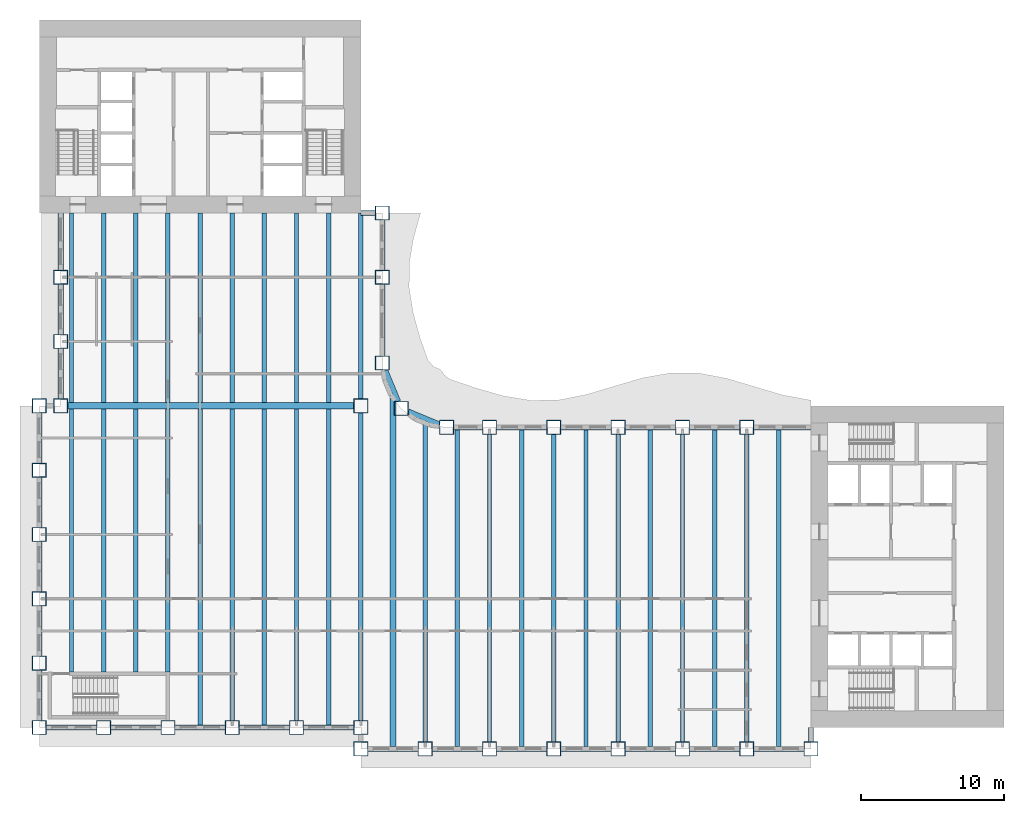
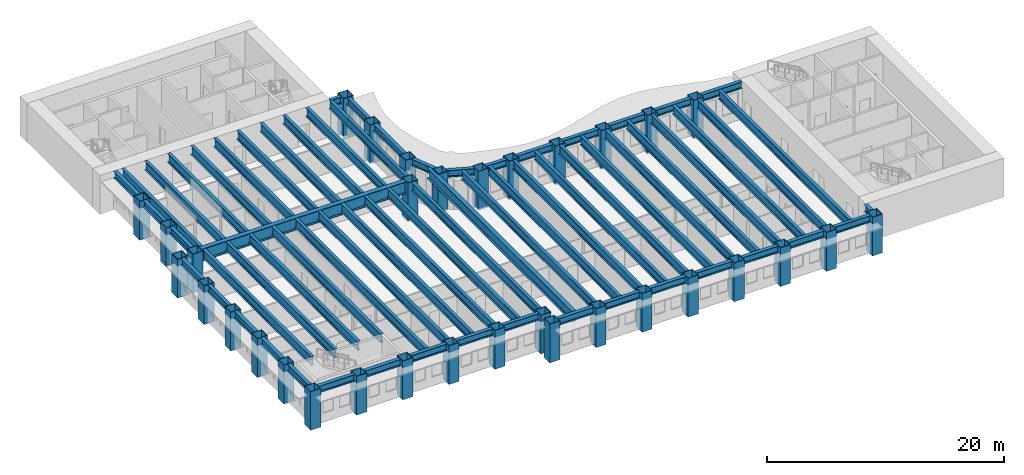
# One storey, part 1 of 16: 66 beams, 33 columns.
"""IFC4 building model written with IfcOpenShell, lengths in metres."""

from ifc_helpers import new_model, si_unit, direction, frame, origin, origin_2d, place, context, subcontext, project, spatial, hollow_rectangle, i_section, extrude, material, material_profile, profile_set, type_object, element, save


model = new_model("IFC4")

# Units and contexts
model_context = context("Model", 3, precision=1e-05, world=origin(), true_north=direction((0.0, 1.0)))
body_context = subcontext(model_context, "Body", "Model", "MODEL_VIEW")
ifc_project = project(units=[si_unit("LENGTHUNIT", "METRE"), si_unit("AREAUNIT", "SQUARE_METRE"), si_unit("VOLUMEUNIT", "CUBIC_METRE"), si_unit("PLANEANGLEUNIT", "RADIAN"), si_unit("MASSUNIT", "GRAM", prefix="KILO")], contexts=[model_context])

# Site, building, storey
site_placement = place(None, origin())
site = spatial("IfcSite", under=ifc_project, at=site_placement, CompositionType="ELEMENT")
building_placement = place(site_placement, origin())
building = spatial("IfcBuilding", under=site, at=building_placement, Name="Sennacour Bend Tower", CompositionType="ELEMENT")
storey_placement = place(building_placement, frame((0.0, 0.0, 107.0)))
storey = spatial("IfcBuildingStorey", under=building, at=storey_placement, Name="L24", CompositionType="ELEMENT", Elevation=107.0)

# Columns
ifc_material_1 = material(Name="Steel ASTM A572 Grade 50", Category="steel")
ifc_material_profile_1 = material_profile(ifc_material_1, hollow_rectangle(XDim=1.0, YDim=1.0, WallThickness=0.050048828125, at=origin_2d()), Name="Steel ASTM A572 Grade 50", Category="steel")
ifc_profile_set_1 = profile_set([ifc_material_profile_1], Name="Steel ASTM A572 Grade 50")
column_type = type_object("IfcColumnType", Name="Box column 1000", PredefinedType="COLUMN", material=ifc_profile_set_1)
for number, where, z_axis, x_axis, name in (
    (1, (0.0, 0.0, -0.14990234375), (0.0, 0.0, 1.0), (1.0, 0.0, 0.0), "Perimeter column C2 L24-001"),
    (2, (0.0, 4.5, -0.14990234375), (0.0, 0.0, 1.0), (1.0, 0.0, 0.0), "Perimeter column C2 L24-002"),
    (3, (0.0, 9.0, -0.14990234375), (0.0, 0.0, 1.0), (1.0, 0.0, 0.0), "Perimeter column C2 L24-003"),
    (4, (0.0, 13.5, -0.14990234375), (0.0, 0.0, 1.0), (1.0, 0.0, 0.0), "Perimeter column C2 L24-004"),
    (5, (0.0, 18.0, -0.14990234375), (0.0, 0.0, 1.0), (1.0, 0.0, 0.0), "Perimeter column C2 L24-005"),
    (6, (0.0, 22.5, -0.14990234375), (0.0, 0.0, 1.0), (1.0, 0.0, 0.0), "Perimeter column C2 L24-006"),
    (7, (1.5, 22.5, -0.14990234375), (0.0, 0.0, 1.0), (1.0, 0.0, 0.0), "Perimeter column C2 L24-007"),
    (8, (1.5, 27.0, -0.14990234375), (0.0, 0.0, 1.0), (1.0, 0.0, 0.0), "Perimeter column C2 L24-008"),
    (9, (1.5, 31.5, -0.14990234375), (0.0, 0.0, 1.0), (1.0, 0.0, 0.0), "Perimeter column C2 L24-009"),
    (10, (4.5, 0.0, -0.14990234375), (0.0, 0.0, 1.0), (1.0, 0.0, 0.0), "Perimeter column C2 L24-010"),
    (11, (9.0, 0.0, -0.14990234375), (0.0, 0.0, 1.0), (1.0, 0.0, 0.0), "Perimeter column C2 L24-011"),
    (12, (13.5, 0.0, -0.14990234375), (0.0, 0.0, 1.0), (1.0, 0.0, 0.0), "Perimeter column C2 L24-012"),
    (13, (18.0, 0.0, -0.14990234375), (0.0, 0.0, 1.0), (1.0, 0.0, 0.0), "Perimeter column C2 L24-013"),
    (14, (22.5, -1.5, -0.14990234375), (0.0, 0.0, 1.0), (1.0, 0.0, 0.0), "Perimeter column C2 L24-014"),
    (15, (22.5, 0.0, -0.14990234375), (0.0, 0.0, 1.0), (1.0, 0.0, 0.0), "Perimeter column C2 L24-015"),
    (16, (22.5, 22.5, -0.14990234375), (0.0, 0.0, 1.0), (1.0, 0.0, 0.0), "Knuckle column C2 L24-016"),
    (17, (24.0, 25.5, -0.14990234375), (0.0, 0.0, 1.0), (1.0, 0.0, 0.0), "Perimeter column C2 L24-017"),
    (18, (24.0, 31.5, -0.14990234375), (0.0, 0.0, 1.0), (1.0, 0.0, 0.0), "Perimeter column C2 L24-018"),
    (19, (24.0, 36.0, -0.14990234375), (0.0, 0.0, 1.0), (1.0, 0.0, 0.0), "Perimeter column C2 L24-019"),
    (20, (25.318115234375, 22.318115234375, -0.14990234375), (0.0, 0.0, 1.0), (1.0, 0.0, 0.0), "Perimeter column C2 L24-020"),
    (21, (27.0, -1.5, -0.14990234375), (0.0, 0.0, 1.0), (1.0, 0.0, 0.0), "Perimeter column C2 L24-021"),
    (22, (28.5, 21.0, -0.14990234375), (0.0, 0.0, 1.0), (1.0, 0.0, 0.0), "Perimeter column C2 L24-022"),
    (23, (31.5, -1.5, -0.14990234375), (0.0, 0.0, 1.0), (1.0, 0.0, 0.0), "Perimeter column C2 L24-023"),
    (24, (31.5, 21.0, -0.14990234375), (0.0, 0.0, 1.0), (1.0, 0.0, 0.0), "Perimeter column C2 L24-024"),
    (25, (36.0, -1.5, -0.14990234375), (0.0, 0.0, 1.0), (1.0, 0.0, 0.0), "Perimeter column C2 L24-025"),
    (26, (36.0, 21.0, -0.14990234375), (0.0, 0.0, 1.0), (1.0, 0.0, 0.0), "Perimeter column C2 L24-026"),
    (27, (40.5, -1.5, -0.14990234375), (0.0, 0.0, 1.0), (1.0, 0.0, 0.0), "Perimeter column C2 L24-027"),
    (28, (40.5, 21.0, -0.14990234375), (0.0, 0.0, 1.0), (1.0, 0.0, 0.0), "Perimeter column C2 L24-028"),
    (29, (45.0, -1.5, -0.14990234375), (0.0, 0.0, 1.0), (1.0, 0.0, 0.0), "Perimeter column C2 L24-029"),
    (30, (45.0, 21.0, -0.14990234375), (0.0, 0.0, 1.0), (1.0, 0.0, 0.0), "Perimeter column C2 L24-030"),
    (31, (49.5, -1.5, -0.14990234375), (0.0, 0.0, 1.0), (1.0, 0.0, 0.0), "Perimeter column C2 L24-031"),
    (32, (49.5, 21.0, -0.14990234375), (0.0, 0.0, 1.0), (1.0, 0.0, 0.0), "Perimeter column C2 L24-032"),
    (33, (54.0, -1.5, -0.14990234375), (0.0, 0.0, 1.0), (1.0, 0.0, 0.0), "Perimeter column C2 L24-033"),
):
    element("IfcColumn", number, at=place(storey_placement, frame(where, z_axis=z_axis, x_axis=x_axis)), inside=storey, type_object=column_type, Name=name, PredefinedType="COLUMN", context=body_context, shape_type="SweptSolid", body=[
        extrude(hollow_rectangle(XDim=1.0, YDim=1.0, WallThickness=0.050048828125, at=origin_2d()), origin(), (0.0, 0.0, 1.0), 4.0),
    ])

# Beams
ifc_material_2 = material(Name="Steel ASTM A992 Grade 50", Category="steel")
ifc_material_profile_2 = material_profile(ifc_material_2, i_section(OverallWidth=0.304931640625, OverallDepth=0.912109375, WebThickness=0.015869140625, FlangeThickness=0.02392578125, FilletRadius=0.01904296875, at=origin_2d()), Name="Steel ASTM A992 Grade 50", Category="steel")
ifc_profile_set_2 = profile_set([ifc_material_profile_2], Name="Steel ASTM A992 Grade 50")
beam_type_1 = type_object("IfcBeamType", Name="Floor beam W920X223", PredefinedType="BEAM", material=ifc_profile_set_2)
beam_1_placement = place(storey_placement, frame((2.25, 3.875, 3.39404296875), z_axis=(0.0, 1.0, 0.0), x_axis=(-1.0, 0.0, 0.0)))
element("IfcBeam", 34, at=beam_1_placement, inside=storey, type_object=beam_type_1, Name="Floor beam FBM1 L25-001", PredefinedType="BEAM", context=body_context, shape_type="SweptSolid", body=[
    extrude(i_section(OverallWidth=0.304931640625, OverallDepth=0.912109375, WebThickness=0.015869140625, FlangeThickness=0.02392578125, FilletRadius=0.01904296875, at=origin_2d()), origin(), (0.0, 0.0, 1.0), 18.39990234375),
])
beam_2_placement = place(storey_placement, frame((2.25, 22.72509765625, 3.39404296875), z_axis=(0.0, 1.0, 0.0), x_axis=(-1.0, 0.0, 0.0)))
element("IfcBeam", 35, at=beam_2_placement, inside=storey, type_object=beam_type_1, Name="Floor beam FBM1 L25-002", PredefinedType="BEAM", context=body_context, shape_type="SweptSolid", body=[
    extrude(i_section(OverallWidth=0.304931640625, OverallDepth=0.912109375, WebThickness=0.015869140625, FlangeThickness=0.02392578125, FilletRadius=0.01904296875, at=origin_2d()), origin(), (0.0, 0.0, 1.0), 13.27490234375),
])
beam_3_placement = place(storey_placement, frame((4.5, 3.875, 3.39404296875), z_axis=(0.0, 1.0, 0.0), x_axis=(-1.0, 0.0, 0.0)))
element("IfcBeam", 36, at=beam_3_placement, inside=storey, type_object=beam_type_1, Name="Floor beam FBM1 L25-003", PredefinedType="BEAM", context=body_context, shape_type="SweptSolid", body=[
    extrude(i_section(OverallWidth=0.304931640625, OverallDepth=0.912109375, WebThickness=0.015869140625, FlangeThickness=0.02392578125, FilletRadius=0.01904296875, at=origin_2d()), origin(), (0.0, 0.0, 1.0), 18.39990234375),
])
beam_4_placement = place(storey_placement, frame((4.5, 22.72509765625, 3.39404296875), z_axis=(0.0, 1.0, 0.0), x_axis=(-1.0, 0.0, 0.0)))
element("IfcBeam", 37, at=beam_4_placement, inside=storey, type_object=beam_type_1, Name="Floor beam FBM1 L25-004", PredefinedType="BEAM", context=body_context, shape_type="SweptSolid", body=[
    extrude(i_section(OverallWidth=0.304931640625, OverallDepth=0.912109375, WebThickness=0.015869140625, FlangeThickness=0.02392578125, FilletRadius=0.01904296875, at=origin_2d()), origin(), (0.0, 0.0, 1.0), 13.27490234375),
])
beam_5_placement = place(storey_placement, frame((6.75, 3.875, 3.39404296875), z_axis=(0.0, 1.0, 0.0), x_axis=(-1.0, 0.0, 0.0)))
element("IfcBeam", 38, at=beam_5_placement, inside=storey, type_object=beam_type_1, Name="Floor beam FBM1 L25-005", PredefinedType="BEAM", context=body_context, shape_type="SweptSolid", body=[
    extrude(i_section(OverallWidth=0.304931640625, OverallDepth=0.912109375, WebThickness=0.015869140625, FlangeThickness=0.02392578125, FilletRadius=0.01904296875, at=origin_2d()), origin(), (0.0, 0.0, 1.0), 18.39990234375),
])
beam_6_placement = place(storey_placement, frame((6.75, 22.72509765625, 3.39404296875), z_axis=(0.0, 1.0, 0.0), x_axis=(-1.0, 0.0, 0.0)))
element("IfcBeam", 39, at=beam_6_placement, inside=storey, type_object=beam_type_1, Name="Floor beam FBM1 L25-006", PredefinedType="BEAM", context=body_context, shape_type="SweptSolid", body=[
    extrude(i_section(OverallWidth=0.304931640625, OverallDepth=0.912109375, WebThickness=0.015869140625, FlangeThickness=0.02392578125, FilletRadius=0.01904296875, at=origin_2d()), origin(), (0.0, 0.0, 1.0), 13.27490234375),
])
beam_7_placement = place(storey_placement, frame((9.0, 3.875, 3.39404296875), z_axis=(0.0, 1.0, 0.0), x_axis=(-1.0, 0.0, 0.0)))
element("IfcBeam", 40, at=beam_7_placement, inside=storey, type_object=beam_type_1, Name="Floor beam FBM1 L25-007", PredefinedType="BEAM", context=body_context, shape_type="SweptSolid", body=[
    extrude(i_section(OverallWidth=0.304931640625, OverallDepth=0.912109375, WebThickness=0.015869140625, FlangeThickness=0.02392578125, FilletRadius=0.01904296875, at=origin_2d()), origin(), (0.0, 0.0, 1.0), 18.39990234375),
])
beam_8_placement = place(storey_placement, frame((9.0, 22.72509765625, 3.39404296875), z_axis=(0.0, 1.0, 0.0), x_axis=(-1.0, 0.0, 0.0)))
element("IfcBeam", 41, at=beam_8_placement, inside=storey, type_object=beam_type_1, Name="Floor beam FBM1 L25-008", PredefinedType="BEAM", context=body_context, shape_type="SweptSolid", body=[
    extrude(i_section(OverallWidth=0.304931640625, OverallDepth=0.912109375, WebThickness=0.015869140625, FlangeThickness=0.02392578125, FilletRadius=0.01904296875, at=origin_2d()), origin(), (0.0, 0.0, 1.0), 13.27490234375),
])
beam_9_placement = place(storey_placement, frame((11.25, 0.177978515625, 3.39404296875), z_axis=(0.0, 1.0, 0.0), x_axis=(-1.0, 0.0, 0.0)))
element("IfcBeam", 42, at=beam_9_placement, inside=storey, type_object=beam_type_1, Name="Floor beam FBM1 L25-009", PredefinedType="BEAM", context=body_context, shape_type="SweptSolid", body=[
    extrude(i_section(OverallWidth=0.304931640625, OverallDepth=0.912109375, WebThickness=0.015869140625, FlangeThickness=0.02392578125, FilletRadius=0.01904296875, at=origin_2d()), origin(), (0.0, 0.0, 1.0), 22.096923828125),
])
beam_10_placement = place(storey_placement, frame((11.25, 22.72509765625, 3.39404296875), z_axis=(0.0, 1.0, 0.0), x_axis=(-1.0, 0.0, 0.0)))
element("IfcBeam", 43, at=beam_10_placement, inside=storey, type_object=beam_type_1, Name="Floor beam FBM1 L25-010", PredefinedType="BEAM", context=body_context, shape_type="SweptSolid", body=[
    extrude(i_section(OverallWidth=0.304931640625, OverallDepth=0.912109375, WebThickness=0.015869140625, FlangeThickness=0.02392578125, FilletRadius=0.01904296875, at=origin_2d()), origin(), (0.0, 0.0, 1.0), 13.27490234375),
])
beam_11_placement = place(storey_placement, frame((13.5, 0.5, 3.39404296875), z_axis=(0.0, 1.0, 0.0), x_axis=(-1.0, 0.0, 0.0)))
element("IfcBeam", 44, at=beam_11_placement, inside=storey, type_object=beam_type_1, Name="Floor beam FBM1 L25-011", PredefinedType="BEAM", context=body_context, shape_type="SweptSolid", body=[
    extrude(i_section(OverallWidth=0.304931640625, OverallDepth=0.912109375, WebThickness=0.015869140625, FlangeThickness=0.02392578125, FilletRadius=0.01904296875, at=origin_2d()), origin(), (0.0, 0.0, 1.0), 21.77490234375),
])
beam_12_placement = place(storey_placement, frame((13.5, 22.72509765625, 3.39404296875), z_axis=(0.0, 1.0, 0.0), x_axis=(-1.0, 0.0, 0.0)))
element("IfcBeam", 45, at=beam_12_placement, inside=storey, type_object=beam_type_1, Name="Floor beam FBM1 L25-012", PredefinedType="BEAM", context=body_context, shape_type="SweptSolid", body=[
    extrude(i_section(OverallWidth=0.304931640625, OverallDepth=0.912109375, WebThickness=0.015869140625, FlangeThickness=0.02392578125, FilletRadius=0.01904296875, at=origin_2d()), origin(), (0.0, 0.0, 1.0), 13.27490234375),
])
beam_13_placement = place(storey_placement, frame((15.75, 0.177978515625, 3.39404296875), z_axis=(0.0, 1.0, 0.0), x_axis=(-1.0, 0.0, 0.0)))
element("IfcBeam", 46, at=beam_13_placement, inside=storey, type_object=beam_type_1, Name="Floor beam FBM1 L25-013", PredefinedType="BEAM", context=body_context, shape_type="SweptSolid", body=[
    extrude(i_section(OverallWidth=0.304931640625, OverallDepth=0.912109375, WebThickness=0.015869140625, FlangeThickness=0.02392578125, FilletRadius=0.01904296875, at=origin_2d()), origin(), (0.0, 0.0, 1.0), 22.096923828125),
])
beam_14_placement = place(storey_placement, frame((15.75, 22.72509765625, 3.39404296875), z_axis=(0.0, 1.0, 0.0), x_axis=(-1.0, 0.0, 0.0)))
element("IfcBeam", 47, at=beam_14_placement, inside=storey, type_object=beam_type_1, Name="Floor beam FBM1 L25-014", PredefinedType="BEAM", context=body_context, shape_type="SweptSolid", body=[
    extrude(i_section(OverallWidth=0.304931640625, OverallDepth=0.912109375, WebThickness=0.015869140625, FlangeThickness=0.02392578125, FilletRadius=0.01904296875, at=origin_2d()), origin(), (0.0, 0.0, 1.0), 13.27490234375),
])
beam_15_placement = place(storey_placement, frame((18.0, 0.5, 3.39404296875), z_axis=(0.0, 1.0, 0.0), x_axis=(-1.0, 0.0, 0.0)))
element("IfcBeam", 48, at=beam_15_placement, inside=storey, type_object=beam_type_1, Name="Floor beam FBM1 L25-015", PredefinedType="BEAM", context=body_context, shape_type="SweptSolid", body=[
    extrude(i_section(OverallWidth=0.304931640625, OverallDepth=0.912109375, WebThickness=0.015869140625, FlangeThickness=0.02392578125, FilletRadius=0.01904296875, at=origin_2d()), origin(), (0.0, 0.0, 1.0), 21.77490234375),
])
beam_16_placement = place(storey_placement, frame((18.0, 22.72509765625, 3.39404296875), z_axis=(0.0, 1.0, 0.0), x_axis=(-1.0, 0.0, 0.0)))
element("IfcBeam", 49, at=beam_16_placement, inside=storey, type_object=beam_type_1, Name="Floor beam FBM1 L25-016", PredefinedType="BEAM", context=body_context, shape_type="SweptSolid", body=[
    extrude(i_section(OverallWidth=0.304931640625, OverallDepth=0.912109375, WebThickness=0.015869140625, FlangeThickness=0.02392578125, FilletRadius=0.01904296875, at=origin_2d()), origin(), (0.0, 0.0, 1.0), 13.27490234375),
])
beam_17_placement = place(storey_placement, frame((20.25, 0.177978515625, 3.39404296875), z_axis=(0.0, 1.0, 0.0), x_axis=(-1.0, 0.0, 0.0)))
element("IfcBeam", 50, at=beam_17_placement, inside=storey, type_object=beam_type_1, Name="Floor beam FBM1 L25-017", PredefinedType="BEAM", context=body_context, shape_type="SweptSolid", body=[
    extrude(i_section(OverallWidth=0.304931640625, OverallDepth=0.912109375, WebThickness=0.015869140625, FlangeThickness=0.02392578125, FilletRadius=0.01904296875, at=origin_2d()), origin(), (0.0, 0.0, 1.0), 22.096923828125),
])
beam_18_placement = place(storey_placement, frame((20.25, 22.72509765625, 3.39404296875), z_axis=(0.0, 1.0, 0.0), x_axis=(-1.0, 0.0, 0.0)))
element("IfcBeam", 51, at=beam_18_placement, inside=storey, type_object=beam_type_1, Name="Floor beam FBM1 L25-018", PredefinedType="BEAM", context=body_context, shape_type="SweptSolid", body=[
    extrude(i_section(OverallWidth=0.304931640625, OverallDepth=0.912109375, WebThickness=0.015869140625, FlangeThickness=0.02392578125, FilletRadius=0.01904296875, at=origin_2d()), origin(), (0.0, 0.0, 1.0), 13.27490234375),
])
beam_19_placement = place(storey_placement, frame((22.5, 0.5, 3.39404296875), z_axis=(0.0, 1.0, 0.0), x_axis=(-1.0, 0.0, 0.0)))
element("IfcBeam", 52, at=beam_19_placement, inside=storey, type_object=beam_type_1, Name="Floor beam FBM1 L25-019", PredefinedType="BEAM", context=body_context, shape_type="SweptSolid", body=[
    extrude(i_section(OverallWidth=0.304931640625, OverallDepth=0.912109375, WebThickness=0.015869140625, FlangeThickness=0.02392578125, FilletRadius=0.01904296875, at=origin_2d()), origin(), (0.0, 0.0, 1.0), 21.5),
])
beam_20_placement = place(storey_placement, frame((22.5, 23.0, 3.39404296875), z_axis=(0.0, 1.0, 0.0), x_axis=(-1.0, 0.0, 0.0)))
element("IfcBeam", 53, at=beam_20_placement, inside=storey, type_object=beam_type_1, Name="Floor beam FBM1 L25-020", PredefinedType="BEAM", context=body_context, shape_type="SweptSolid", body=[
    extrude(i_section(OverallWidth=0.304931640625, OverallDepth=0.912109375, WebThickness=0.015869140625, FlangeThickness=0.02392578125, FilletRadius=0.01904296875, at=origin_2d()), origin(), (0.0, 0.0, 1.0), 13.0),
])
beam_21_placement = place(storey_placement, frame((27.0, -1.0, 3.39404296875), z_axis=(0.0, 1.0, 0.0), x_axis=(-1.0, 0.0, 0.0)))
element("IfcBeam", 54, at=beam_21_placement, inside=storey, type_object=beam_type_1, Name="Floor beam FBM1 L25-022", PredefinedType="BEAM", context=body_context, shape_type="SweptSolid", body=[
    extrude(i_section(OverallWidth=0.304931640625, OverallDepth=0.912109375, WebThickness=0.015869140625, FlangeThickness=0.02392578125, FilletRadius=0.01904296875, at=origin_2d()), origin(), (0.0, 0.0, 1.0), 22.4287109375),
])
beam_22_placement = place(storey_placement, frame((29.25, -1.322021484375, 3.39404296875), z_axis=(0.0, 1.0, 0.0), x_axis=(-1.0, 0.0, 0.0)))
element("IfcBeam", 55, at=beam_22_placement, inside=storey, type_object=beam_type_1, Name="Floor beam FBM1 L25-023", PredefinedType="BEAM", context=body_context, shape_type="SweptSolid", body=[
    extrude(i_section(OverallWidth=0.304931640625, OverallDepth=0.912109375, WebThickness=0.015869140625, FlangeThickness=0.02392578125, FilletRadius=0.01904296875, at=origin_2d()), origin(), (0.0, 0.0, 1.0), 22.14404296875),
])
beam_23_placement = place(storey_placement, frame((31.5, -1.0, 3.39404296875), z_axis=(0.0, 1.0, 0.0), x_axis=(-1.0, 0.0, 0.0)))
element("IfcBeam", 56, at=beam_23_placement, inside=storey, type_object=beam_type_1, Name="Floor beam FBM1 L25-024", PredefinedType="BEAM", context=body_context, shape_type="SweptSolid", body=[
    extrude(i_section(OverallWidth=0.304931640625, OverallDepth=0.912109375, WebThickness=0.015869140625, FlangeThickness=0.02392578125, FilletRadius=0.01904296875, at=origin_2d()), origin(), (0.0, 0.0, 1.0), 21.5),
])
beam_24_placement = place(storey_placement, frame((33.75, -1.322021484375, 3.39404296875), z_axis=(0.0, 1.0, 0.0), x_axis=(-1.0, 0.0, 0.0)))
element("IfcBeam", 57, at=beam_24_placement, inside=storey, type_object=beam_type_1, Name="Floor beam FBM1 L25-025", PredefinedType="BEAM", context=body_context, shape_type="SweptSolid", body=[
    extrude(i_section(OverallWidth=0.304931640625, OverallDepth=0.912109375, WebThickness=0.015869140625, FlangeThickness=0.02392578125, FilletRadius=0.01904296875, at=origin_2d()), origin(), (0.0, 0.0, 1.0), 22.14404296875),
])
beam_25_placement = place(storey_placement, frame((36.0, -1.0, 3.39404296875), z_axis=(0.0, 1.0, 0.0), x_axis=(-1.0, 0.0, 0.0)))
element("IfcBeam", 58, at=beam_25_placement, inside=storey, type_object=beam_type_1, Name="Floor beam FBM1 L25-026", PredefinedType="BEAM", context=body_context, shape_type="SweptSolid", body=[
    extrude(i_section(OverallWidth=0.304931640625, OverallDepth=0.912109375, WebThickness=0.015869140625, FlangeThickness=0.02392578125, FilletRadius=0.01904296875, at=origin_2d()), origin(), (0.0, 0.0, 1.0), 21.5),
])
beam_26_placement = place(storey_placement, frame((38.25, -1.322021484375, 3.39404296875), z_axis=(0.0, 1.0, 0.0), x_axis=(-1.0, 0.0, 0.0)))
element("IfcBeam", 59, at=beam_26_placement, inside=storey, type_object=beam_type_1, Name="Floor beam FBM1 L25-027", PredefinedType="BEAM", context=body_context, shape_type="SweptSolid", body=[
    extrude(i_section(OverallWidth=0.304931640625, OverallDepth=0.912109375, WebThickness=0.015869140625, FlangeThickness=0.02392578125, FilletRadius=0.01904296875, at=origin_2d()), origin(), (0.0, 0.0, 1.0), 22.14404296875),
])
beam_27_placement = place(storey_placement, frame((40.5, -1.0, 3.39404296875), z_axis=(0.0, 1.0, 0.0), x_axis=(-1.0, 0.0, 0.0)))
element("IfcBeam", 60, at=beam_27_placement, inside=storey, type_object=beam_type_1, Name="Floor beam FBM1 L25-028", PredefinedType="BEAM", context=body_context, shape_type="SweptSolid", body=[
    extrude(i_section(OverallWidth=0.304931640625, OverallDepth=0.912109375, WebThickness=0.015869140625, FlangeThickness=0.02392578125, FilletRadius=0.01904296875, at=origin_2d()), origin(), (0.0, 0.0, 1.0), 21.5),
])
beam_28_placement = place(storey_placement, frame((42.75, -1.322021484375, 3.39404296875), z_axis=(0.0, 1.0, 0.0), x_axis=(-1.0, 0.0, 0.0)))
element("IfcBeam", 61, at=beam_28_placement, inside=storey, type_object=beam_type_1, Name="Floor beam FBM1 L25-029", PredefinedType="BEAM", context=body_context, shape_type="SweptSolid", body=[
    extrude(i_section(OverallWidth=0.304931640625, OverallDepth=0.912109375, WebThickness=0.015869140625, FlangeThickness=0.02392578125, FilletRadius=0.01904296875, at=origin_2d()), origin(), (0.0, 0.0, 1.0), 22.14404296875),
])
beam_29_placement = place(storey_placement, frame((45.0, -1.0, 3.39404296875), z_axis=(0.0, 1.0, 0.0), x_axis=(-1.0, 0.0, 0.0)))
element("IfcBeam", 62, at=beam_29_placement, inside=storey, type_object=beam_type_1, Name="Floor beam FBM1 L25-030", PredefinedType="BEAM", context=body_context, shape_type="SweptSolid", body=[
    extrude(i_section(OverallWidth=0.304931640625, OverallDepth=0.912109375, WebThickness=0.015869140625, FlangeThickness=0.02392578125, FilletRadius=0.01904296875, at=origin_2d()), origin(), (0.0, 0.0, 1.0), 21.5),
])
beam_30_placement = place(storey_placement, frame((47.25, -1.322021484375, 3.39404296875), z_axis=(0.0, 1.0, 0.0), x_axis=(-1.0, 0.0, 0.0)))
element("IfcBeam", 63, at=beam_30_placement, inside=storey, type_object=beam_type_1, Name="Floor beam FBM1 L25-031", PredefinedType="BEAM", context=body_context, shape_type="SweptSolid", body=[
    extrude(i_section(OverallWidth=0.304931640625, OverallDepth=0.912109375, WebThickness=0.015869140625, FlangeThickness=0.02392578125, FilletRadius=0.01904296875, at=origin_2d()), origin(), (0.0, 0.0, 1.0), 22.14404296875),
])
beam_31_placement = place(storey_placement, frame((49.5, -1.0, 3.39404296875), z_axis=(0.0, 1.0, 0.0), x_axis=(-1.0, 0.0, 0.0)))
element("IfcBeam", 64, at=beam_31_placement, inside=storey, type_object=beam_type_1, Name="Floor beam FBM1 L25-032", PredefinedType="BEAM", context=body_context, shape_type="SweptSolid", body=[
    extrude(i_section(OverallWidth=0.304931640625, OverallDepth=0.912109375, WebThickness=0.015869140625, FlangeThickness=0.02392578125, FilletRadius=0.01904296875, at=origin_2d()), origin(), (0.0, 0.0, 1.0), 21.5),
])
beam_32_placement = place(storey_placement, frame((51.75, -1.322021484375, 3.39404296875), z_axis=(0.0, 1.0, 0.0), x_axis=(-1.0, 0.0, 0.0)))
element("IfcBeam", 65, at=beam_32_placement, inside=storey, type_object=beam_type_1, Name="Floor beam FBM1 L25-033", PredefinedType="BEAM", context=body_context, shape_type="SweptSolid", body=[
    extrude(i_section(OverallWidth=0.304931640625, OverallDepth=0.912109375, WebThickness=0.015869140625, FlangeThickness=0.02392578125, FilletRadius=0.01904296875, at=origin_2d()), origin(), (0.0, 0.0, 1.0), 22.14404296875),
])
ifc_material_profile_3 = material_profile(ifc_material_1, i_section(OverallWidth=0.449951171875, OverallDepth=1.25, WebThickness=0.028076171875, FlangeThickness=0.050048828125, at=origin_2d()), Name="Steel ASTM A572 Grade 50", Category="steel")
ifc_profile_set_3 = profile_set([ifc_material_profile_3], Name="Steel ASTM A572 Grade 50")
beam_type_2 = type_object("IfcBeamType", Name="Knuckle girder 1250", PredefinedType="USERDEFINED", material=ifc_profile_set_3)
beam_33_placement = place(storey_placement, frame((2.0, 22.5, 3.22509765625), z_axis=(1.0, 0.0, 0.0), x_axis=(0.0, 1.0, 0.0)))
element("IfcBeam", 66, at=beam_33_placement, inside=storey, type_object=beam_type_2, Name="Knuckle girder GK L25-001", ObjectType="KNUCKLE GIRDER", PredefinedType="USERDEFINED", context=body_context, shape_type="SweptSolid", body=[
    extrude(i_section(OverallWidth=0.449951171875, OverallDepth=1.25, WebThickness=0.028076171875, FlangeThickness=0.050048828125, at=origin_2d()), origin(), (0.0, 0.0, 1.0), 20.0),
])
ifc_material_profile_4 = material_profile(ifc_material_2, i_section(OverallWidth=0.40087890625, OverallDepth=1.090087890625, WebThickness=0.01806640625, FlangeThickness=0.031005859375, FilletRadius=0.02001953125, at=origin_2d()), Name="Steel ASTM A992 Grade 50", Category="steel")
ifc_profile_set_4 = profile_set([ifc_material_profile_4], Name="Steel ASTM A992 Grade 50")
beam_type_3 = type_object("IfcBeamType", Name="Notch floor beam W1100X343", PredefinedType="BEAM", material=ifc_profile_set_4)
beam_34_placement = place(storey_placement, frame((24.75, -1.322021484375, 3.304931640625), z_axis=(0.0, 1.0, 0.0), x_axis=(-1.0, 0.0, 0.0)))
element("IfcBeam", 67, at=beam_34_placement, inside=storey, type_object=beam_type_3, Name="Floor beam FBM4 L25-021", PredefinedType="BEAM", context=body_context, shape_type="SweptSolid", body=[
    extrude(i_section(OverallWidth=0.40087890625, OverallDepth=1.090087890625, WebThickness=0.01806640625, FlangeThickness=0.031005859375, FilletRadius=0.02001953125, at=origin_2d()), origin(), (0.0, 0.0, 1.0), 24.546142578125),
])
ifc_material_profile_5 = material_profile(ifc_material_2, i_section(OverallWidth=0.35595703125, OverallDepth=0.696044921875, WebThickness=0.015380859375, FlangeThickness=0.02490234375, FilletRadius=0.02001953125, at=origin_2d()), Name="Steel ASTM A992 Grade 50", Category="steel")
ifc_profile_set_5 = profile_set([ifc_material_profile_5], Name="Steel ASTM A992 Grade 50")
beam_type_4 = type_object("IfcBeamType", Name="Spandrel beam W690X217", PredefinedType="SPANDREL", material=ifc_profile_set_5)
for number, where, z_axis, x_axis, name in (
    (68, (22.0, 0.0, 3.501953125), (-1.0, 0.0, 0.0), (0.0, -1.0, 0.0), "Spandrel beam SP3 L25-001"),
    (69, (17.5, 0.0, 3.501953125), (-1.0, 0.0, 0.0), (0.0, -1.0, 0.0), "Spandrel beam SP3 L25-002"),
    (70, (13.0, 0.0, 3.501953125), (-1.0, 0.0, 0.0), (0.0, -1.0, 0.0), "Spandrel beam SP3 L25-003"),
    (71, (8.5, 0.0, 3.501953125), (-1.0, 0.0, 0.0), (0.0, -1.0, 0.0), "Spandrel beam SP3 L25-004"),
    (72, (4.0, 0.0, 3.501953125), (-1.0, 0.0, 0.0), (0.0, -1.0, 0.0), "Spandrel beam SP3 L25-005"),
    (73, (0.0, 0.5, 3.501953125), (0.0, 1.0, 0.0), (-1.0, 0.0, 0.0), "Spandrel beam SP3 L25-006"),
    (74, (0.0, 5.0, 3.501953125), (0.0, 1.0, 0.0), (-1.0, 0.0, 0.0), "Spandrel beam SP3 L25-007"),
    (75, (0.0, 9.5, 3.501953125), (0.0, 1.0, 0.0), (-1.0, 0.0, 0.0), "Spandrel beam SP3 L25-008"),
    (76, (0.0, 14.0, 3.501953125), (0.0, 1.0, 0.0), (-1.0, 0.0, 0.0), "Spandrel beam SP3 L25-009"),
    (77, (0.0, 18.5, 3.501953125), (0.0, 1.0, 0.0), (-1.0, 0.0, 0.0), "Spandrel beam SP3 L25-010"),
    (78, (1.5, 23.0, 3.501953125), (0.0, 1.0, 0.0), (-1.0, 0.0, 0.0), "Spandrel beam SP3 L25-011"),
    (79, (1.5, 27.5, 3.501953125), (0.0, 1.0, 0.0), (-1.0, 0.0, 0.0), "Spandrel beam SP3 L25-012"),
):
    element("IfcBeam", number, at=place(storey_placement, frame(where, z_axis=z_axis, x_axis=x_axis)), inside=storey, type_object=beam_type_4, Name=name, PredefinedType="SPANDREL", context=body_context, shape_type="SweptSolid", body=[
        extrude(i_section(OverallWidth=0.35595703125, OverallDepth=0.696044921875, WebThickness=0.015380859375, FlangeThickness=0.02490234375, FilletRadius=0.02001953125, at=origin_2d()), origin(), (0.0, 0.0, 1.0), 3.5),
    ])
beam_35_placement = place(storey_placement, frame((1.5, 32.0, 3.501953125), z_axis=(0.0, 1.0, 0.0), x_axis=(-1.0, 0.0, 0.0)))
element("IfcBeam", 80, at=beam_35_placement, inside=storey, type_object=beam_type_4, Name="Spandrel beam SP3 L25-013", PredefinedType="SPANDREL", context=body_context, shape_type="SweptSolid", body=[
    extrude(i_section(OverallWidth=0.35595703125, OverallDepth=0.696044921875, WebThickness=0.015380859375, FlangeThickness=0.02490234375, FilletRadius=0.02001953125, at=origin_2d()), origin(), (0.0, 0.0, 1.0), 4.0),
])
beam_36_placement = place(storey_placement, frame((22.5, 36.0, 3.501953125), z_axis=(1.0, 0.0, 0.0), x_axis=(0.0, 1.0, 0.0)))
element("IfcBeam", 81, at=beam_36_placement, inside=storey, type_object=beam_type_4, Name="Spandrel beam SP3 L25-014", PredefinedType="SPANDREL", context=body_context, shape_type="SweptSolid", body=[
    extrude(i_section(OverallWidth=0.35595703125, OverallDepth=0.696044921875, WebThickness=0.015380859375, FlangeThickness=0.02490234375, FilletRadius=0.02001953125, at=origin_2d()), origin(), (0.0, 0.0, 1.0), 1.0),
])
beam_37_placement = place(storey_placement, frame((24.0, 35.5, 3.501953125), z_axis=(0.0, -1.0, 0.0), x_axis=(1.0, 0.0, 0.0)))
element("IfcBeam", 82, at=beam_37_placement, inside=storey, type_object=beam_type_4, Name="Spandrel beam SP3 L25-015", PredefinedType="SPANDREL", context=body_context, shape_type="SweptSolid", body=[
    extrude(i_section(OverallWidth=0.35595703125, OverallDepth=0.696044921875, WebThickness=0.015380859375, FlangeThickness=0.02490234375, FilletRadius=0.02001953125, at=origin_2d()), origin(), (0.0, 0.0, 1.0), 3.5),
])
beam_38_placement = place(storey_placement, frame((24.0, 31.0, 3.501953125), z_axis=(0.0, -1.0, 0.0), x_axis=(1.0, 0.0, 0.0)))
element("IfcBeam", 83, at=beam_38_placement, inside=storey, type_object=beam_type_4, Name="Spandrel beam SP3 L25-016", PredefinedType="SPANDREL", context=body_context, shape_type="SweptSolid", body=[
    extrude(i_section(OverallWidth=0.35595703125, OverallDepth=0.696044921875, WebThickness=0.015380859375, FlangeThickness=0.02490234375, FilletRadius=0.02001953125, at=origin_2d()), origin(), (0.0, 0.0, 1.0), 5.0),
])
for number, where, z_axis, x_axis, name in (
    (84, (24.20703125, 25.0, 3.501953125), (0.382698732017, -0.92387319504, 0.0), (0.92387319504, 0.382698732017, 0.0), "Spandrel beam SP3 L25-017"),
    (85, (25.818115234375, 22.11083984375, 3.501953125), (0.92387319504, -0.382698732017, 0.0), (0.382698732017, 0.92387319504, 0.0), "Spandrel beam SP3 L25-018"),
):
    element("IfcBeam", number, at=place(storey_placement, frame(where, z_axis=z_axis, x_axis=x_axis)), inside=storey, type_object=beam_type_4, Name=name, PredefinedType="SPANDREL", context=body_context, shape_type="SweptSolid", body=[
        extrude(i_section(OverallWidth=0.35595703125, OverallDepth=0.696044921875, WebThickness=0.015380859375, FlangeThickness=0.02490234375, FilletRadius=0.02001953125, at=origin_2d()), origin(), (0.0, 0.0, 1.0), 2.361572265625),
    ])
beam_39_placement = place(storey_placement, frame((29.0, 21.0, 3.501953125), z_axis=(1.0, 0.0, 0.0), x_axis=(0.0, 1.0, 0.0)))
element("IfcBeam", 86, at=beam_39_placement, inside=storey, type_object=beam_type_4, Name="Spandrel beam SP3 L25-019", PredefinedType="SPANDREL", context=body_context, shape_type="SweptSolid", body=[
    extrude(i_section(OverallWidth=0.35595703125, OverallDepth=0.696044921875, WebThickness=0.015380859375, FlangeThickness=0.02490234375, FilletRadius=0.02001953125, at=origin_2d()), origin(), (0.0, 0.0, 1.0), 2.0),
])
for number, where, z_axis, x_axis, name in (
    (87, (32.0, 21.0, 3.501953125), (1.0, 0.0, 0.0), (0.0, 1.0, 0.0), "Spandrel beam SP3 L25-020"),
    (88, (36.5, 21.0, 3.501953125), (1.0, 0.0, 0.0), (0.0, 1.0, 0.0), "Spandrel beam SP3 L25-021"),
    (89, (41.0, 21.0, 3.501953125), (1.0, 0.0, 0.0), (0.0, 1.0, 0.0), "Spandrel beam SP3 L25-022"),
    (90, (45.5, 21.0, 3.501953125), (1.0, 0.0, 0.0), (0.0, 1.0, 0.0), "Spandrel beam SP3 L25-023"),
):
    element("IfcBeam", number, at=place(storey_placement, frame(where, z_axis=z_axis, x_axis=x_axis)), inside=storey, type_object=beam_type_4, Name=name, PredefinedType="SPANDREL", context=body_context, shape_type="SweptSolid", body=[
        extrude(i_section(OverallWidth=0.35595703125, OverallDepth=0.696044921875, WebThickness=0.015380859375, FlangeThickness=0.02490234375, FilletRadius=0.02001953125, at=origin_2d()), origin(), (0.0, 0.0, 1.0), 3.5),
    ])
beam_40_placement = place(storey_placement, frame((50.0, 21.0, 3.501953125), z_axis=(1.0, 0.0, 0.0), x_axis=(0.0, 1.0, 0.0)))
element("IfcBeam", 91, at=beam_40_placement, inside=storey, type_object=beam_type_4, Name="Spandrel beam SP3 L25-024", PredefinedType="SPANDREL", context=body_context, shape_type="SweptSolid", body=[
    extrude(i_section(OverallWidth=0.35595703125, OverallDepth=0.696044921875, WebThickness=0.015380859375, FlangeThickness=0.02490234375, FilletRadius=0.02001953125, at=origin_2d()), origin(), (0.0, 0.0, 1.0), 4.0),
])
beam_41_placement = place(storey_placement, frame((54.0, 0.0, 3.501953125), z_axis=(0.0, -1.0, 0.0), x_axis=(1.0, 0.0, 0.0)))
element("IfcBeam", 92, at=beam_41_placement, inside=storey, type_object=beam_type_4, Name="Spandrel beam SP3 L25-025", PredefinedType="SPANDREL", context=body_context, shape_type="SweptSolid", body=[
    extrude(i_section(OverallWidth=0.35595703125, OverallDepth=0.696044921875, WebThickness=0.015380859375, FlangeThickness=0.02490234375, FilletRadius=0.02001953125, at=origin_2d()), origin(), (0.0, 0.0, 1.0), 1.0),
])
for number, where, z_axis, x_axis, name in (
    (93, (53.5, -1.5, 3.501953125), (-1.0, 0.0, 0.0), (0.0, -1.0, 0.0), "Spandrel beam SP3 L25-026"),
    (94, (49.0, -1.5, 3.501953125), (-1.0, 0.0, 0.0), (0.0, -1.0, 0.0), "Spandrel beam SP3 L25-027"),
    (95, (44.5, -1.5, 3.501953125), (-1.0, 0.0, 0.0), (0.0, -1.0, 0.0), "Spandrel beam SP3 L25-028"),
    (96, (40.0, -1.5, 3.501953125), (-1.0, 0.0, 0.0), (0.0, -1.0, 0.0), "Spandrel beam SP3 L25-029"),
    (97, (35.5, -1.5, 3.501953125), (-1.0, 0.0, 0.0), (0.0, -1.0, 0.0), "Spandrel beam SP3 L25-030"),
    (98, (31.0, -1.5, 3.501953125), (-1.0, 0.0, 0.0), (0.0, -1.0, 0.0), "Spandrel beam SP3 L25-031"),
    (99, (26.5, -1.5, 3.501953125), (-1.0, 0.0, 0.0), (0.0, -1.0, 0.0), "Spandrel beam SP3 L25-032"),
):
    element("IfcBeam", number, at=place(storey_placement, frame(where, z_axis=z_axis, x_axis=x_axis)), inside=storey, type_object=beam_type_4, Name=name, PredefinedType="SPANDREL", context=body_context, shape_type="SweptSolid", body=[
        extrude(i_section(OverallWidth=0.35595703125, OverallDepth=0.696044921875, WebThickness=0.015380859375, FlangeThickness=0.02490234375, FilletRadius=0.02001953125, at=origin_2d()), origin(), (0.0, 0.0, 1.0), 3.5),
    ])

save(model, "model.ifc")
